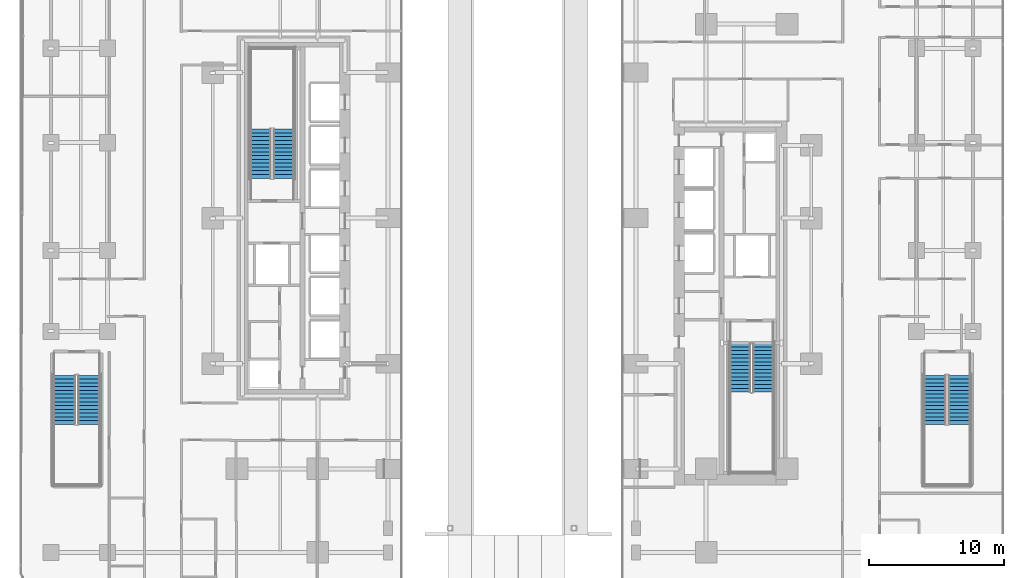
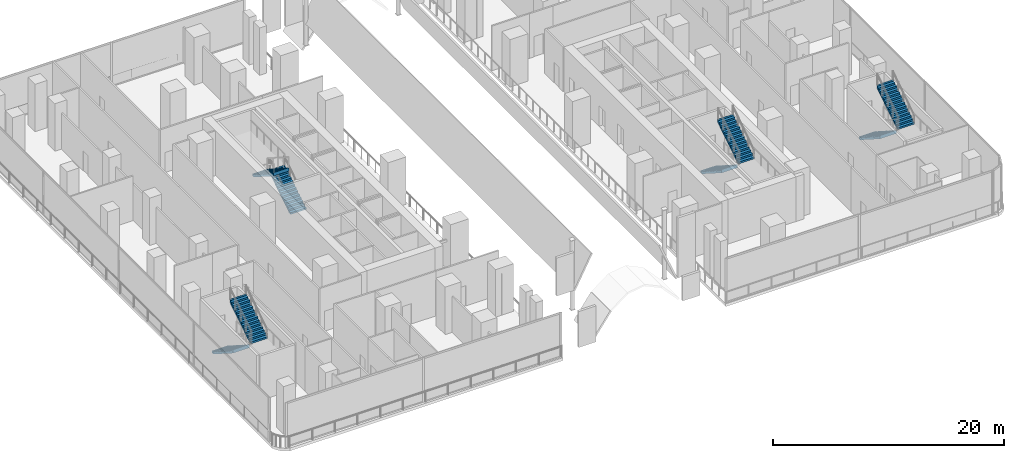
# One storey, part 13 of 31: 8 stair flights, 4 elements without a shape of their own.
"""IFC4 building model written with IfcOpenShell, lengths in metres."""

import ifcopenshell
import ifcopenshell.guid

model = None  # the IFC model being written
_history = None  # IfcOwnerHistory: only IFC2X3 demands one
_inside = {}  # id of a spatial element -> (the spatial element, [elements in it])
_under = {}  # id of a project, library or spatial element -> (it, [spatial elements below it])
_declared = {}  # id of a project -> (the project, [libraries it declares])
_typed = {}  # id of a type object -> (the type object, [elements of that type])
_made_of = {}  # id of a material, layer set ... -> (it, [elements and type objects made of it])


def new_model(schema):
    """Start an empty IFC model of exactly this schema.

    Asked for "IFC4X3", IfcOpenShell would pick the latest addendum, in which some entities
    have other attributes; the version numbers below select the first issue.
    IFC2X3 requires an IfcOwnerHistory on every rooted entity: one is made here for all.
    """
    global model, _history
    if schema == "IFC4X3":
        model = ifcopenshell.file(schema_version=(4, 3, 0, 0))
    else:
        model = ifcopenshell.file(schema=schema)
    _inside.clear()
    _under.clear()
    _declared.clear()
    _typed.clear()
    _made_of.clear()
    _history = None
    if model.schema == "IFC2X3":
        org = make("IfcOrganization", Name="unknown")
        user = make(
            "IfcPersonAndOrganization",
            ThePerson=make("IfcPerson", FamilyName="unknown"),
            TheOrganization=org,
        )
        app = make(
            "IfcApplication",
            ApplicationDeveloper=org,
            Version="unknown",
            ApplicationFullName="unknown",
            ApplicationIdentifier="unknown",
        )
        _history = make(
            "IfcOwnerHistory",
            OwningUser=user,
            OwningApplication=app,
            ChangeAction="ADDED",
            CreationDate=0,
        )
    return model


def make(cls, **values):
    """One entity of the class cls with the attributes given. An attribute that is None is left unset."""
    return model.create_entity(
        cls, **{name: value for name, value in values.items() if value is not None}
    )


def rooted(cls, **values):
    """An entity with a GlobalId (a new one), such as an element, a storey or a relation."""
    return make(cls, GlobalId=ifcopenshell.guid.new(), OwnerHistory=_history, **values)


def si_unit(unit_type, name, prefix=None):
    """IfcSIUnit, for example si_unit("LENGTHUNIT", "METRE", prefix="MILLI")."""
    return make("IfcSIUnit", UnitType=unit_type, Prefix=prefix, Name=name)


def assignment(units):
    """IfcUnitAssignment: the units of a project."""
    return None if units is None else make("IfcUnitAssignment", Units=units)


def point(xyz):
    """IfcCartesianPoint."""
    return None if xyz is None else make("IfcCartesianPoint", Coordinates=xyz)


def direction(xyz):
    """IfcDirection."""
    return None if xyz is None else make("IfcDirection", DirectionRatios=xyz)


def frame(location, z_axis=None, x_axis=None):
    """IfcAxis2Placement3D, a coordinate frame: its origin and axes. An axis left out is left unset."""
    return make(
        "IfcAxis2Placement3D",
        Location=point(location),
        Axis=direction(z_axis),
        RefDirection=direction(x_axis),
    )


def origin():
    """The frame at (0, 0, 0) with its axes left unset."""
    return frame((0.0, 0.0, 0.0))


def place(relative_to, where):
    """IfcLocalPlacement: puts the frame where relative to a parent placement (None: the world)."""
    return make(
        "IfcLocalPlacement", PlacementRelTo=relative_to, RelativePlacement=where
    )


def context(
    kind, dimensions, precision=None, world=None, true_north=None, identifier=None
):
    """IfcGeometricRepresentationContext, for example the 3D "Model" context."""
    return make(
        "IfcGeometricRepresentationContext",
        ContextIdentifier=identifier,
        ContextType=kind,
        CoordinateSpaceDimension=dimensions,
        Precision=precision,
        WorldCoordinateSystem=world,
        TrueNorth=true_north,
    )


def subcontext(parent, identifier, kind, view, scale=None):
    """IfcGeometricRepresentationSubContext, for example "Body" below "Model"."""
    return make(
        "IfcGeometricRepresentationSubContext",
        ContextIdentifier=identifier,
        ContextType=kind,
        ParentContext=parent,
        TargetScale=scale,
        TargetView=view,
    )


def project(units=None, contexts=None):
    """IfcProject with its units and contexts."""
    return rooted(
        "IfcProject",
        Name="project",
        RepresentationContexts=contexts,
        UnitsInContext=assignment(units),
    )


def spatial(cls, under=None, at=None, **own):
    """A site, building, storey or space (cls), placed at a placement, below another one or the project."""
    s = rooted(cls, ObjectPlacement=at, **own)
    if under is not None:
        _under.setdefault(under.id(), (under, []))[1].append(s)
    return s


def polyline(points):
    """IfcPolyline through the points."""
    return make("IfcPolyline", Points=[point(p) for p in points])


def outline(outer, holes=None, kind="AREA"):
    """IfcArbitraryClosedProfileDef: a profile drawn as a closed curve; with holes, ...WithVoids."""
    if holes is None:
        return make("IfcArbitraryClosedProfileDef", ProfileType=kind, OuterCurve=outer)
    return make(
        "IfcArbitraryProfileDefWithVoids",
        ProfileType=kind,
        OuterCurve=outer,
        InnerCurves=holes,
    )


def extrude(swept, where, along, depth):
    """IfcExtrudedAreaSolid: the profile swept, set in the frame where, extruded along a direction by depth."""
    return make(
        "IfcExtrudedAreaSolid",
        SweptArea=swept,
        Position=where,
        ExtrudedDirection=direction(along),
        Depth=depth,
    )


def shape(context_of_items, identifier, shape_type, items):
    """IfcShapeRepresentation: the items that make up one representation, for example the "Body"."""
    return make(
        "IfcShapeRepresentation",
        ContextOfItems=context_of_items,
        RepresentationIdentifier=identifier,
        RepresentationType=shape_type,
        Items=items,
    )


def material(Name=None, Category=None):
    """IfcMaterial."""
    return make("IfcMaterial", Name=Name, Category=Category)


def layer(
    of_material, thickness, ventilated=None, Name=None, Category=None, Priority=None
):
    """IfcMaterialLayer: one layer of a wall or slab, of a material (None: an air gap)."""
    return make(
        "IfcMaterialLayer",
        Material=of_material,
        LayerThickness=thickness,
        IsVentilated=ventilated,
        Name=Name,
        Category=Category,
        Priority=Priority,
    )


def layer_set(layers, Name=None):
    """IfcMaterialLayerSet."""
    return make("IfcMaterialLayerSet", MaterialLayers=layers, LayerSetName=Name)


def made_of(thing, what):
    """Note that an element or type object is made of a material, layer set ...; save() writes the relation."""
    if what is not None:
        _made_of.setdefault(what.id(), (what, []))[1].append(thing)
    return thing


def type_object(cls, material=None, **own):
    """A type object (cls), such as IfcWallType, which elements share."""
    return made_of(rooted(cls, **own), material)


def element(
    cls,
    number,
    at=None,
    inside=None,
    cuts=None,
    type_object=None,
    material=None,
    context=None,
    identifier="Body",
    shape_type=None,
    held_by="IfcProductDefinitionShape",
    body=None,
    shapes=None,
    **own,
):
    """One element of the class cls, such as IfcWall. Its Tag is "e" and its number.

    at: its placement. inside: the storey or other place that contains it. cuts: it is an
    opening in that element (IfcRelVoidsElement). A single representation is given by context,
    identifier, shape_type and body (its items); several are given by shapes. held_by: the class
    of the entity that holds the representations. save() writes the other relations.
    """
    e = rooted(cls, Tag="e%d" % number, ObjectPlacement=at, **own)
    if body is not None:
        shapes = [shape(context, identifier, shape_type, body)]
    if shapes is not None:
        e.Representation = make(held_by, Representations=shapes)
    if inside is not None:
        _inside.setdefault(inside.id(), (inside, []))[1].append(e)
    if cuts is not None:
        rooted(
            "IfcRelVoidsElement", RelatingBuildingElement=cuts, RelatedOpeningElement=e
        )
    if type_object is not None:
        _typed.setdefault(type_object.id(), (type_object, []))[1].append(e)
    return made_of(e, material)


def aggregate(whole, parts):
    """IfcRelAggregates: a whole, such as a stair, and the parts it consists of."""
    return rooted("IfcRelAggregates", RelatingObject=whole, RelatedObjects=parts)


def save(model, path):
    """Write the relations noted so far, then the file.

    IfcRelAggregates (storeys below a building ...), IfcRelContainedInSpatialStructure (elements
    in a storey), IfcRelDefinesByType, IfcRelAssociatesMaterial and IfcRelDeclares: one each for
    every whole, place, type object, material and project.
    """
    for whole, parts in _under.values():
        aggregate(whole, parts)
    for where, things in _inside.values():
        rooted(
            "IfcRelContainedInSpatialStructure",
            RelatedElements=things,
            RelatingStructure=where,
        )
    for kind, things in _typed.values():
        rooted("IfcRelDefinesByType", RelatedObjects=things, RelatingType=kind)
    for what, things in _made_of.values():
        rooted("IfcRelAssociatesMaterial", RelatedObjects=things, RelatingMaterial=what)
    for by, libraries in _declared.values():
        rooted("IfcRelDeclares", RelatingContext=by, RelatedDefinitions=libraries)
    model.write(path)


model = new_model("IFC4")

# Units and contexts
model_context = context("Model", 3, precision=1e-05, world=origin(), true_north=direction((0.0, 1.0)))
body_context = subcontext(model_context, "Body", "Model", "MODEL_VIEW")
ifc_project = project(units=[si_unit("LENGTHUNIT", "METRE"), si_unit("AREAUNIT", "SQUARE_METRE"), si_unit("VOLUMEUNIT", "CUBIC_METRE"), si_unit("PLANEANGLEUNIT", "RADIAN"), si_unit("MASSUNIT", "GRAM", prefix="KILO")], contexts=[model_context])

# Site, building, storey
site_placement = place(None, origin())
site = spatial("IfcSite", under=ifc_project, at=site_placement, CompositionType="ELEMENT")
building_placement = place(site_placement, origin())
building = spatial("IfcBuilding", under=site, at=building_placement, Name="Khairoan Windgate Tower", CompositionType="ELEMENT")
storey_placement = place(building_placement, frame((0.0, 0.0, 11.0)))
storey = spatial("IfcBuildingStorey", under=building, at=storey_placement, Name="L03", CompositionType="ELEMENT", Elevation=11.0)

# Stair, stair flights
ifc_material_1 = material(Name="Concrete C40/50", Category="concrete")
stair_type_1 = type_object("IfcStairType", Name="Podium Exit Dog-Leg Stair ST-T2 1660mm", PredefinedType="HALF_TURN_STAIR", material=ifc_material_1)
stair_1_placement = place(storey_placement, origin())
stair_1 = element("IfcStair", 1, at=stair_1_placement, inside=storey, type_object=stair_type_1, Name="L03 Stair ST3", PredefinedType="HALF_TURN_STAIR")
ifc_material_2 = material(Name="Concrete C40/50", Category="concrete")
ifc_layer_1 = layer(ifc_material_2, 0.14990234375, Name="Concrete C40/50")
ifc_layer_set_1 = layer_set([ifc_layer_1], Name="Concrete C40/50")
stair_flight_type_1 = type_object("IfcStairFlightType", Name="Podium Stair Flight STF-1660", PredefinedType="STRAIGHT", material=ifc_layer_set_1)
stair_flight_1_placement = place(storey_placement, frame((31.3798828125, -11.659912109375, 0.0), z_axis=(0.0, 0.0, 1.0), x_axis=(0.0, -1.0, 0.0)))
stair_flight_1 = element("IfcStairFlight", 2, at=stair_flight_1_placement, type_object=stair_flight_type_1, Name="ST3 flight 1", NumberOfRisers=14, NumberOfTreads=13, PredefinedType="STRAIGHT", RiserHeight=0.178571429, TreadLength=0.28, context=body_context, shape_type="SweptSolid", body=[
    extrude(outline(polyline([(-0.00390625, 0.0), (-0.00390625, 0.178466796875), (0.0, 0.178466796875), (0.280029296875, 0.178466796875), (0.280029296875, 0.357177734375), (0.56005859375, 0.357177734375), (0.56005859375, 0.53564453125), (0.840087890625, 0.53564453125), (0.840087890625, 0.71435546875), (1.1201171875, 0.71435546875), (1.1201171875, 0.892822265625), (1.39990234375, 0.892822265625), (1.39990234375, 1.071533203125), (1.679931640625, 1.071533203125), (1.679931640625, 1.25), (1.9599609375, 1.25), (1.9599609375, 1.428466796875), (2.239990234375, 1.428466796875), (2.239990234375, 1.607177734375), (2.52001953125, 1.607177734375), (2.52001953125, 1.78564453125), (2.800048828125, 1.78564453125), (2.800048828125, 1.96435546875), (3.080078125, 1.96435546875), (3.080078125, 2.142822265625), (3.360107421875, 2.142822265625), (3.360107421875, 2.321533203125), (3.639892578125, 2.321533203125), (3.639892578125, 2.5), (3.64404296875, 2.5), (3.64404296875, 2.1435546875), (0.27880859375, 0.0), (-0.00390625, 0.0)])), frame((0.0, 0.830078125, 0.0), z_axis=(0.0, -1.0, 0.0), x_axis=(1.0, 0.0, 0.0)), (0.0, 0.0, 1.0), 1.659912109375),
])
stair_flight_2_placement = place(storey_placement, frame((33.18994140625, -15.300048828125, 2.5), z_axis=(0.0, 0.0, 1.0), x_axis=(0.0, 1.0, 0.0)))
stair_flight_2 = element("IfcStairFlight", 3, at=stair_flight_2_placement, type_object=stair_flight_type_1, Name="ST3 flight 2", NumberOfRisers=14, NumberOfTreads=13, PredefinedType="STRAIGHT", RiserHeight=0.178571429, TreadLength=0.28, context=body_context, shape_type="SweptSolid", body=[
    extrude(outline(polyline([(-0.00390625, 0.0), (-0.00390625, 0.178466796875), (0.0, 0.178466796875), (0.280029296875, 0.178466796875), (0.280029296875, 0.357177734375), (0.56005859375, 0.357177734375), (0.56005859375, 0.53564453125), (0.840087890625, 0.53564453125), (0.840087890625, 0.71435546875), (1.1201171875, 0.71435546875), (1.1201171875, 0.892822265625), (1.39990234375, 0.892822265625), (1.39990234375, 1.071533203125), (1.679931640625, 1.071533203125), (1.679931640625, 1.25), (1.9599609375, 1.25), (1.9599609375, 1.428466796875), (2.239990234375, 1.428466796875), (2.239990234375, 1.607177734375), (2.52001953125, 1.607177734375), (2.52001953125, 1.78564453125), (2.800048828125, 1.78564453125), (2.800048828125, 1.96435546875), (3.080078125, 1.96435546875), (3.080078125, 2.142822265625), (3.360107421875, 2.142822265625), (3.360107421875, 2.321533203125), (3.639892578125, 2.321533203125), (3.639892578125, 2.5), (3.64404296875, 2.5), (3.64404296875, 2.1435546875), (0.27880859375, 0.0), (-0.00390625, 0.0)])), frame((0.0, 0.830078125, 0.0), z_axis=(0.0, -1.0, 0.0), x_axis=(1.0, 0.0, 0.0)), (0.0, 0.0, 1.0), 1.659912109375),
])
aggregate(stair_1, [stair_flight_1, stair_flight_2])

stair_2_placement = place(storey_placement, origin())
stair_2 = element("IfcStair", 4, at=stair_2_placement, inside=storey, type_object=stair_type_1, Name="L03 Stair ST4", PredefinedType="HALF_TURN_STAIR")
stair_flight_3_placement = place(storey_placement, frame((-33.18994140625, -11.659912109375, 0.0), z_axis=(0.0, 0.0, 1.0), x_axis=(0.0, -1.0, 0.0)))
stair_flight_3 = element("IfcStairFlight", 5, at=stair_flight_3_placement, type_object=stair_flight_type_1, Name="ST4 flight 1", NumberOfRisers=14, NumberOfTreads=13, PredefinedType="STRAIGHT", RiserHeight=0.178571429, TreadLength=0.28, context=body_context, shape_type="SweptSolid", body=[
    extrude(outline(polyline([(-0.00390625, 0.0), (-0.00390625, 0.178466796875), (0.0, 0.178466796875), (0.280029296875, 0.178466796875), (0.280029296875, 0.357177734375), (0.56005859375, 0.357177734375), (0.56005859375, 0.53564453125), (0.840087890625, 0.53564453125), (0.840087890625, 0.71435546875), (1.1201171875, 0.71435546875), (1.1201171875, 0.892822265625), (1.39990234375, 0.892822265625), (1.39990234375, 1.071533203125), (1.679931640625, 1.071533203125), (1.679931640625, 1.25), (1.9599609375, 1.25), (1.9599609375, 1.428466796875), (2.239990234375, 1.428466796875), (2.239990234375, 1.607177734375), (2.52001953125, 1.607177734375), (2.52001953125, 1.78564453125), (2.800048828125, 1.78564453125), (2.800048828125, 1.96435546875), (3.080078125, 1.96435546875), (3.080078125, 2.142822265625), (3.360107421875, 2.142822265625), (3.360107421875, 2.321533203125), (3.639892578125, 2.321533203125), (3.639892578125, 2.5), (3.64404296875, 2.5), (3.64404296875, 2.1435546875), (0.27880859375, 0.0), (-0.00390625, 0.0)])), frame((0.0, 0.830078125, 0.0), z_axis=(0.0, -1.0, 0.0), x_axis=(1.0, 0.0, 0.0)), (0.0, 0.0, 1.0), 1.659912109375),
])
stair_flight_4_placement = place(storey_placement, frame((-31.3798828125, -15.300048828125, 2.5), z_axis=(0.0, 0.0, 1.0), x_axis=(0.0, 1.0, 0.0)))
stair_flight_4 = element("IfcStairFlight", 6, at=stair_flight_4_placement, type_object=stair_flight_type_1, Name="ST4 flight 2", NumberOfRisers=14, NumberOfTreads=13, PredefinedType="STRAIGHT", RiserHeight=0.178571429, TreadLength=0.28, context=body_context, shape_type="SweptSolid", body=[
    extrude(outline(polyline([(-0.00390625, 0.0), (-0.00390625, 0.178466796875), (0.0, 0.178466796875), (0.280029296875, 0.178466796875), (0.280029296875, 0.357177734375), (0.56005859375, 0.357177734375), (0.56005859375, 0.53564453125), (0.840087890625, 0.53564453125), (0.840087890625, 0.71435546875), (1.1201171875, 0.71435546875), (1.1201171875, 0.892822265625), (1.39990234375, 0.892822265625), (1.39990234375, 1.071533203125), (1.679931640625, 1.071533203125), (1.679931640625, 1.25), (1.9599609375, 1.25), (1.9599609375, 1.428466796875), (2.239990234375, 1.428466796875), (2.239990234375, 1.607177734375), (2.52001953125, 1.607177734375), (2.52001953125, 1.78564453125), (2.800048828125, 1.78564453125), (2.800048828125, 1.96435546875), (3.080078125, 1.96435546875), (3.080078125, 2.142822265625), (3.360107421875, 2.142822265625), (3.360107421875, 2.321533203125), (3.639892578125, 2.321533203125), (3.639892578125, 2.5), (3.64404296875, 2.5), (3.64404296875, 2.1435546875), (0.27880859375, 0.0), (-0.00390625, 0.0)])), frame((0.0, 0.830078125, 0.0), z_axis=(0.0, -1.0, 0.0), x_axis=(1.0, 0.0, 0.0)), (0.0, 0.0, 1.0), 1.659912109375),
])
aggregate(stair_2, [stair_flight_3, stair_flight_4])

ifc_material_3 = material(Name="Concrete C40/50", Category="concrete")
stair_type_2 = type_object("IfcStairType", Name="Tower Core Dog-Leg Stair ST-T1 1560mm", PredefinedType="HALF_TURN_STAIR", material=ifc_material_3)
stair_3_placement = place(storey_placement, origin())
stair_3 = element("IfcStair", 7, at=stair_3_placement, inside=storey, type_object=stair_type_2, Name="L03 Stair ST1", PredefinedType="HALF_TURN_STAIR")
ifc_material_4 = material(Name="Concrete C40/50", Category="concrete")
ifc_layer_2 = layer(ifc_material_4, 0.14990234375, Name="Concrete C40/50")
ifc_layer_set_2 = layer_set([ifc_layer_2], Name="Concrete C40/50")
stair_flight_type_2 = type_object("IfcStairFlightType", Name="Tower Core Stair Flight STF-1560", PredefinedType="STRAIGHT", material=ifc_layer_set_2)
stair_flight_5_placement = place(storey_placement, frame((16.929931640625, -9.260009765625, 0.0), z_axis=(0.0, 0.0, 1.0), x_axis=(0.0, -1.0, 0.0)))
stair_flight_5 = element("IfcStairFlight", 8, at=stair_flight_5_placement, type_object=stair_flight_type_2, Name="ST1 flight 1", NumberOfRisers=14, NumberOfTreads=13, PredefinedType="STRAIGHT", RiserHeight=0.178571429, TreadLength=0.28, context=body_context, shape_type="SweptSolid", body=[
    extrude(outline(polyline([(-0.00390625, 0.0), (-0.00390625, 0.178466796875), (0.0, 0.178466796875), (0.280029296875, 0.178466796875), (0.280029296875, 0.357177734375), (0.56005859375, 0.357177734375), (0.56005859375, 0.53564453125), (0.840087890625, 0.53564453125), (0.840087890625, 0.71435546875), (1.1201171875, 0.71435546875), (1.1201171875, 0.892822265625), (1.39990234375, 0.892822265625), (1.39990234375, 1.071533203125), (1.679931640625, 1.071533203125), (1.679931640625, 1.25), (1.9599609375, 1.25), (1.9599609375, 1.428466796875), (2.239990234375, 1.428466796875), (2.239990234375, 1.607177734375), (2.52001953125, 1.607177734375), (2.52001953125, 1.78564453125), (2.800048828125, 1.78564453125), (2.800048828125, 1.96435546875), (3.080078125, 1.96435546875), (3.080078125, 2.142822265625), (3.360107421875, 2.142822265625), (3.360107421875, 2.321533203125), (3.639892578125, 2.321533203125), (3.639892578125, 2.5), (3.64404296875, 2.5), (3.64404296875, 2.1435546875), (0.27880859375, 0.0), (-0.00390625, 0.0)])), frame((0.0, 0.780029296875, 0.0), z_axis=(0.0, -1.0, 0.0), x_axis=(1.0, 0.0, 0.0)), (0.0, 0.0, 1.0), 1.56005859375),
])
stair_flight_6_placement = place(storey_placement, frame((18.639892578125, -12.89990234375, 2.5), z_axis=(0.0, 0.0, 1.0), x_axis=(0.0, 1.0, 0.0)))
stair_flight_6 = element("IfcStairFlight", 9, at=stair_flight_6_placement, type_object=stair_flight_type_2, Name="ST1 flight 2", NumberOfRisers=14, NumberOfTreads=13, PredefinedType="STRAIGHT", RiserHeight=0.178571429, TreadLength=0.28, context=body_context, shape_type="SweptSolid", body=[
    extrude(outline(polyline([(-0.00390625, 0.0), (-0.00390625, 0.178466796875), (0.0, 0.178466796875), (0.280029296875, 0.178466796875), (0.280029296875, 0.357177734375), (0.56005859375, 0.357177734375), (0.56005859375, 0.53564453125), (0.840087890625, 0.53564453125), (0.840087890625, 0.71435546875), (1.1201171875, 0.71435546875), (1.1201171875, 0.892822265625), (1.39990234375, 0.892822265625), (1.39990234375, 1.071533203125), (1.679931640625, 1.071533203125), (1.679931640625, 1.25), (1.9599609375, 1.25), (1.9599609375, 1.428466796875), (2.239990234375, 1.428466796875), (2.239990234375, 1.607177734375), (2.52001953125, 1.607177734375), (2.52001953125, 1.78564453125), (2.800048828125, 1.78564453125), (2.800048828125, 1.96435546875), (3.080078125, 1.96435546875), (3.080078125, 2.142822265625), (3.360107421875, 2.142822265625), (3.360107421875, 2.321533203125), (3.639892578125, 2.321533203125), (3.639892578125, 2.5), (3.64404296875, 2.5), (3.64404296875, 2.1435546875), (0.27880859375, 0.0), (-0.00390625, 0.0)])), frame((0.0, 0.780029296875, 0.0), z_axis=(0.0, -1.0, 0.0), x_axis=(1.0, 0.0, 0.0)), (0.0, 0.0, 1.0), 1.56005859375),
])
aggregate(stair_3, [stair_flight_5, stair_flight_6])

stair_4_placement = place(storey_placement, origin())
stair_4 = element("IfcStair", 10, at=stair_4_placement, inside=storey, type_object=stair_type_2, Name="L03 Stair ST2", PredefinedType="HALF_TURN_STAIR")
stair_flight_7_placement = place(storey_placement, frame((-16.929931640625, 2.9599609375, 0.0), z_axis=(0.0, 0.0, 1.0), x_axis=(0.0, 1.0, 0.0)))
stair_flight_7 = element("IfcStairFlight", 11, at=stair_flight_7_placement, type_object=stair_flight_type_2, Name="ST2 flight 1", NumberOfRisers=14, NumberOfTreads=13, PredefinedType="STRAIGHT", RiserHeight=0.178571429, TreadLength=0.28, context=body_context, shape_type="SweptSolid", body=[
    extrude(outline(polyline([(-0.00390625, 0.0), (-0.00390625, 0.178466796875), (0.0, 0.178466796875), (0.280029296875, 0.178466796875), (0.280029296875, 0.357177734375), (0.56005859375, 0.357177734375), (0.56005859375, 0.53564453125), (0.840087890625, 0.53564453125), (0.840087890625, 0.71435546875), (1.1201171875, 0.71435546875), (1.1201171875, 0.892822265625), (1.39990234375, 0.892822265625), (1.39990234375, 1.071533203125), (1.679931640625, 1.071533203125), (1.679931640625, 1.25), (1.9599609375, 1.25), (1.9599609375, 1.428466796875), (2.239990234375, 1.428466796875), (2.239990234375, 1.607177734375), (2.52001953125, 1.607177734375), (2.52001953125, 1.78564453125), (2.800048828125, 1.78564453125), (2.800048828125, 1.96435546875), (3.080078125, 1.96435546875), (3.080078125, 2.142822265625), (3.360107421875, 2.142822265625), (3.360107421875, 2.321533203125), (3.639892578125, 2.321533203125), (3.639892578125, 2.5), (3.64404296875, 2.5), (3.64404296875, 2.1435546875), (0.27880859375, 0.0), (-0.00390625, 0.0)])), frame((0.0, 0.780029296875, 0.0), z_axis=(0.0, -1.0, 0.0), x_axis=(1.0, 0.0, 0.0)), (0.0, 0.0, 1.0), 1.56005859375),
])
stair_flight_8_placement = place(storey_placement, frame((-18.639892578125, 6.60009765625, 2.5), z_axis=(0.0, 0.0, 1.0), x_axis=(0.0, -1.0, 0.0)))
stair_flight_8 = element("IfcStairFlight", 12, at=stair_flight_8_placement, type_object=stair_flight_type_2, Name="ST2 flight 2", NumberOfRisers=14, NumberOfTreads=13, PredefinedType="STRAIGHT", RiserHeight=0.178571429, TreadLength=0.28, context=body_context, shape_type="SweptSolid", body=[
    extrude(outline(polyline([(-0.00390625, 0.0), (-0.00390625, 0.178466796875), (0.0, 0.178466796875), (0.280029296875, 0.178466796875), (0.280029296875, 0.357177734375), (0.56005859375, 0.357177734375), (0.56005859375, 0.53564453125), (0.840087890625, 0.53564453125), (0.840087890625, 0.71435546875), (1.1201171875, 0.71435546875), (1.1201171875, 0.892822265625), (1.39990234375, 0.892822265625), (1.39990234375, 1.071533203125), (1.679931640625, 1.071533203125), (1.679931640625, 1.25), (1.9599609375, 1.25), (1.9599609375, 1.428466796875), (2.239990234375, 1.428466796875), (2.239990234375, 1.607177734375), (2.52001953125, 1.607177734375), (2.52001953125, 1.78564453125), (2.800048828125, 1.78564453125), (2.800048828125, 1.96435546875), (3.080078125, 1.96435546875), (3.080078125, 2.142822265625), (3.360107421875, 2.142822265625), (3.360107421875, 2.321533203125), (3.639892578125, 2.321533203125), (3.639892578125, 2.5), (3.64404296875, 2.5), (3.64404296875, 2.1435546875), (0.27880859375, 0.0), (-0.00390625, 0.0)])), frame((0.0, 0.780029296875, 0.0), z_axis=(0.0, -1.0, 0.0), x_axis=(1.0, 0.0, 0.0)), (0.0, 0.0, 1.0), 1.56005859375),
])
aggregate(stair_4, [stair_flight_7, stair_flight_8])

save(model, "model.ifc")
